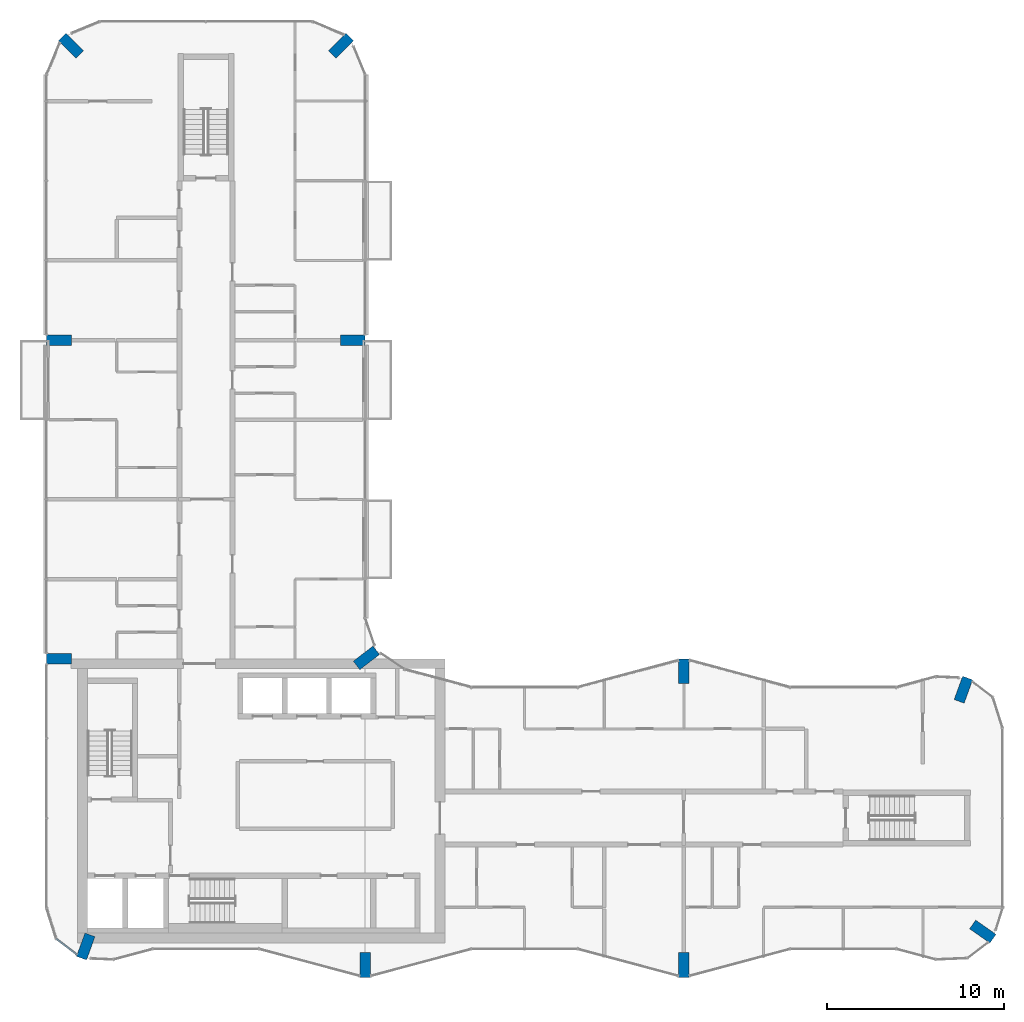
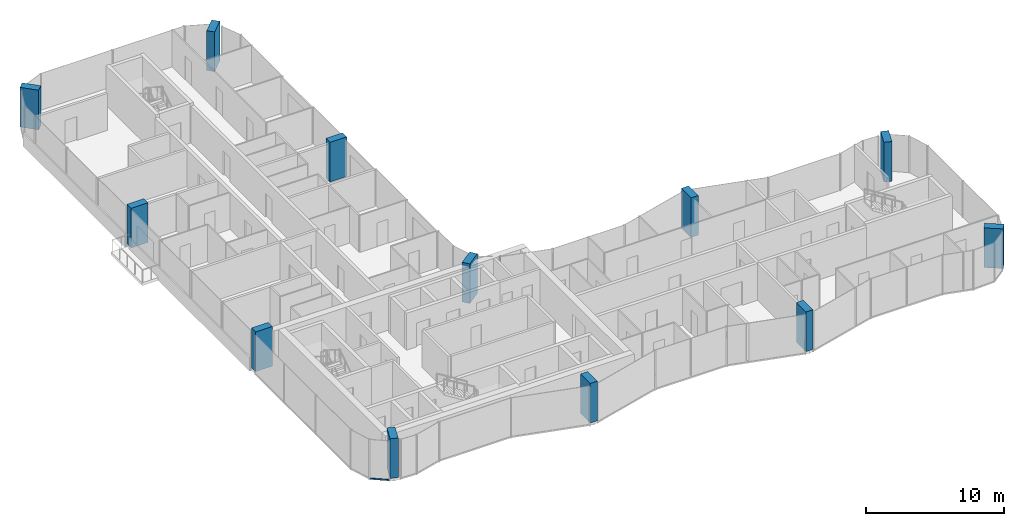
# One storey, part 1 of 15: 12 columns, 1 member, 1 element without a shape of its own.
"""IFC4 building model written with IfcOpenShell, lengths in metres."""

from ifc_helpers import new_model, si_unit, direction, frame, origin, origin_2d, place, context, subcontext, project, spatial, rectangle, extrude, material, layer, layer_set, material_profile, profile_set, type_object, element, aggregate, save


model = new_model("IFC4")

# Units and contexts
model_context = context("Model", 3, precision=1e-05, world=origin(), true_north=direction((0.0, 1.0)))
body_context = subcontext(model_context, "Body", "Model", "MODEL_VIEW")
ifc_project = project(units=[si_unit("LENGTHUNIT", "METRE"), si_unit("AREAUNIT", "SQUARE_METRE"), si_unit("VOLUMEUNIT", "CUBIC_METRE"), si_unit("PLANEANGLEUNIT", "RADIAN"), si_unit("MASSUNIT", "GRAM", prefix="KILO")], contexts=[model_context])

# Site, building, storey
site_placement = place(None, origin())
site = spatial("IfcSite", under=ifc_project, at=site_placement, CompositionType="ELEMENT")
building_placement = place(site_placement, origin())
building = spatial("IfcBuilding", under=site, at=building_placement, Name="Plateau Cross Towers", CompositionType="ELEMENT")
storey_placement = place(building_placement, frame((0.0, 0.0, 204.89990234375)))
storey = spatial("IfcBuildingStorey", under=building, at=storey_placement, Name="L53", CompositionType="ELEMENT", Elevation=204.89990234375)

# Columns
ifc_material_1 = material(Name="Concrete C60/75", Category="concrete")
ifc_material_profile_1 = material_profile(ifc_material_1, rectangle(XDim=0.60009765625, YDim=1.39990234375, at=origin_2d()), Name="RC 600x1400")
ifc_profile_set_1 = profile_set([ifc_material_profile_1], Name="Concrete C60/75")
column_type = type_object("IfcColumnType", Name="Fin pier column RC 600x1400", PredefinedType="COLUMN", material=ifc_profile_set_1)
for number, where, z_axis, x_axis, name in (
    (1, (18.0, 0.699951171875, 0.0), (0.0, 0.0, 1.0), (1.0, 0.0, 0.0), "PR1 L53"),
    (2, (36.0, 0.699951171875, 0.0), (0.0, 0.0, 1.0), (1.0, 0.0, 0.0), "PR2 L53"),
    (3, (52.884033203125, 2.590087890625, 0.0), (0.0, 0.0, 1.0), (0.573542637991, 0.819175709117, 0.0), "PR3 L53"),
    (4, (51.786865234375, 16.251953125, 0.0), (0.0, 0.0, 1.0), (-0.939664280925, 0.342097996418, 0.0), "PR4 L53"),
    (5, (36.0, 17.300048828125, 0.0), (0.0, 0.0, 1.0), (1.0, 0.0, 0.0), "PR5 L53"),
    (6, (18.064697265625, 18.049560546875, 0.0), (0.0, 0.0, 1.0), (-0.608810846443, 0.793315418515, 0.0), "PR6 L53"),
    (7, (17.300048828125, 36.0, 0.0), (0.0, 0.0, 1.0), (0.0, 1.0, 0.0), "PR7 L53"),
    (8, (16.62646484375, 52.62646484375, 0.0), (0.0, 0.0, 1.0), (-0.707106781187, 0.707106781187, 0.0), "PR8 L53"),
    (9, (1.37353515625, 52.62646484375, 0.0), (0.0, 0.0, 1.0), (0.707106781187, 0.707106781187, 0.0), "PR9 L53"),
    (10, (0.699951171875, 36.0, 0.0), (0.0, 0.0, 1.0), (0.0, 1.0, 0.0), "PR10 L53"),
    (11, (0.699951171875, 18.0, 0.0), (0.0, 0.0, 1.0), (0.0, 1.0, 0.0), "PR11 L53"),
    (12, (2.213134765625, 1.748046875, 0.0), (0.0, 0.0, 1.0), (-0.939664280925, 0.342097996418, 0.0), "PR12 L53"),
):
    element("IfcColumn", number, at=place(storey_placement, frame(where, z_axis=z_axis, x_axis=x_axis)), inside=storey, type_object=column_type, Name=name, PredefinedType="COLUMN", context=body_context, shape_type="SweptSolid", body=[
        extrude(rectangle(XDim=0.60009765625, YDim=1.39990234375, at=origin_2d()), origin(), (0.0, 0.0, 1.0), 3.5),
    ])

# Curtain wall, member
ifc_material_2 = material(Name="Dark low-iron glass", Category="glass")
ifc_layer = layer(ifc_material_2, 0.239990234375)
ifc_layer_set = layer_set([ifc_layer], Name="Dark low-iron glass")
curtain_wall_type = type_object("IfcCurtainWallType", Name="Curtain wall flush unitised CW-B", PredefinedType="NOTDEFINED", material=ifc_layer_set)
curtain_wall_placement = place(storey_placement, origin())
curtain_wall = element("IfcCurtainWall", 13, at=curtain_wall_placement, inside=storey, type_object=curtain_wall_type, Name="ENV/A/L53/A5_22", PredefinedType="NOTDEFINED")
ifc_material_3 = material(Name="Black anodised aluminium", Category="aluminium")
ifc_material_profile_2 = material_profile(ifc_material_3, rectangle(XDim=0.10009765625, YDim=0.1201171875, at=origin_2d()), Name="TRANSOM 100x120")
ifc_profile_set_2 = profile_set([ifc_material_profile_2], Name="Black anodised aluminium")
member_type = type_object("IfcMemberType", Name="Transom 100x120 flush unitised", PredefinedType="USERDEFINED", material=ifc_profile_set_2)
member_placement = place(storey_placement, frame((0.54248046875, 2.1884765625, -0.18994140625), z_axis=(0.793320508571, -0.608804213751, 0.0), x_axis=(0.608804213751, 0.793320508571, 0.0)))
member = element("IfcMember", 14, at=member_placement, type_object=member_type, Name="CW-B transom", ObjectType="TRANSOM", PredefinedType="USERDEFINED", context=body_context, shape_type="SweptSolid", body=[
    extrude(rectangle(XDim=0.10009765625, YDim=0.1201171875, at=origin_2d()), origin(), (0.0, 0.0, 1.0), 1.471435546875),
])
aggregate(curtain_wall, [member])

save(model, "model.ifc")
